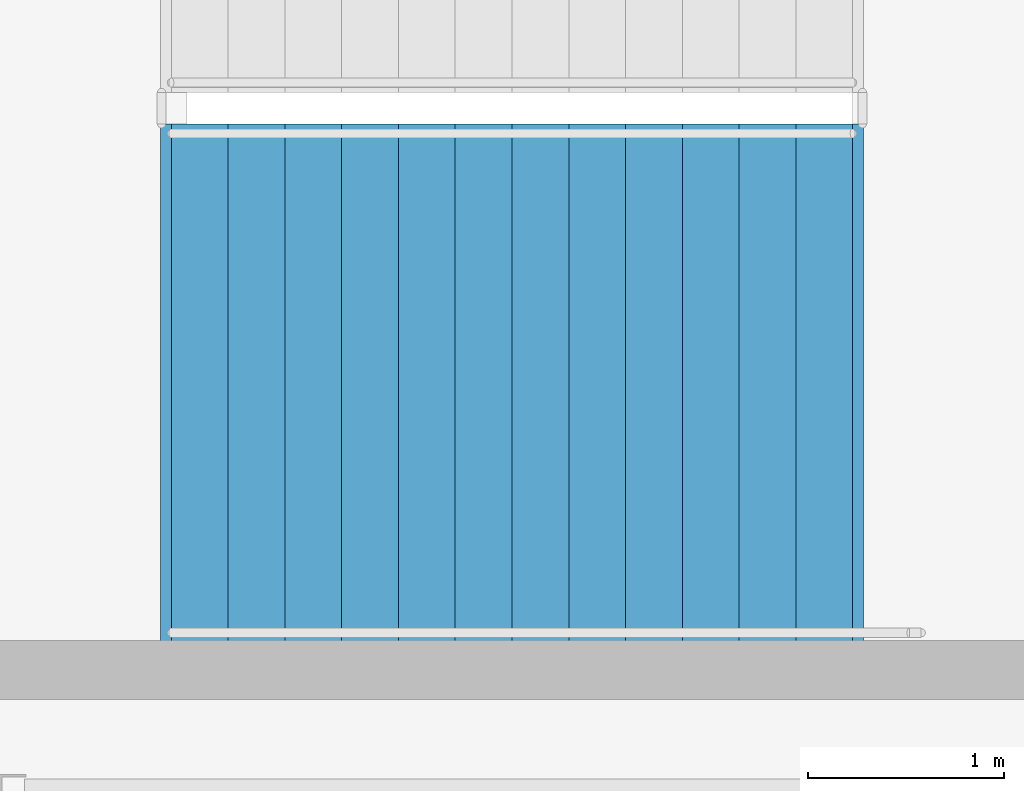
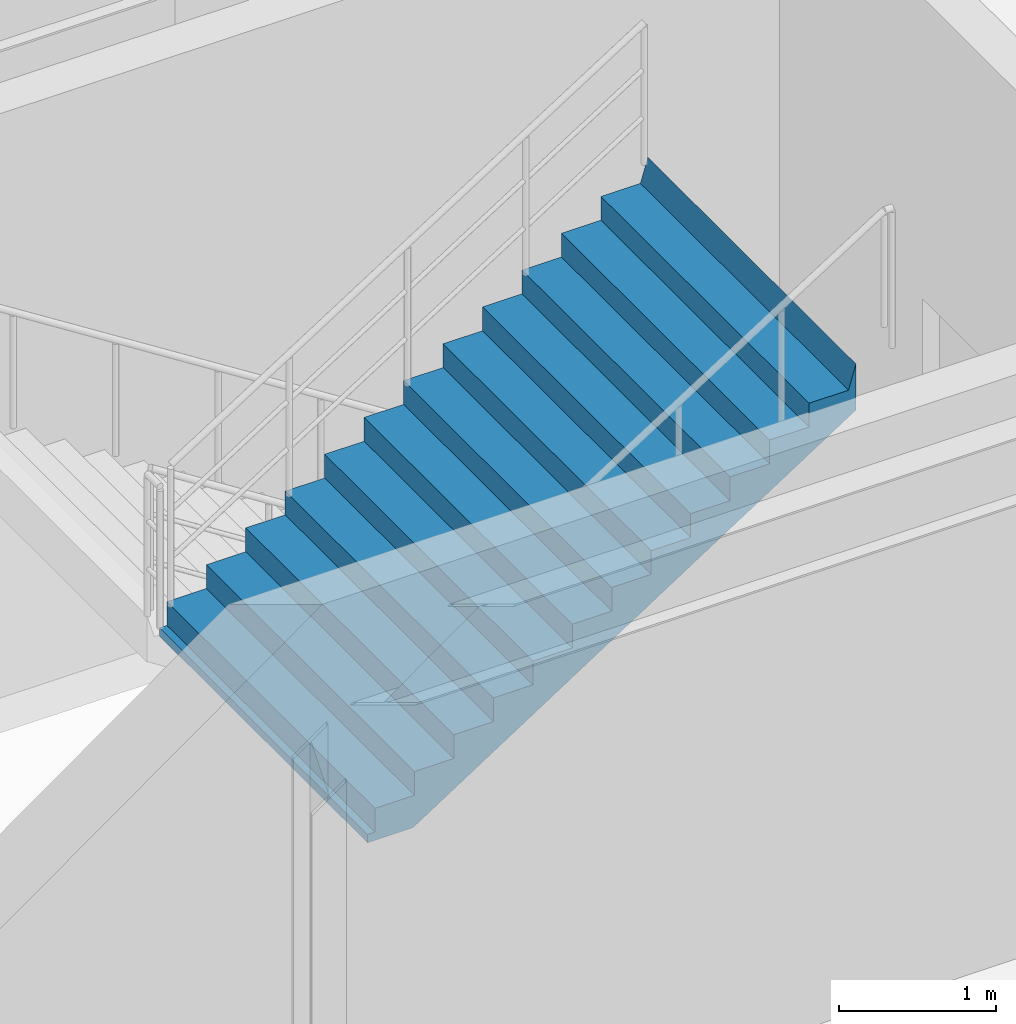
# One storey, part 114 of 144: 1 stair flight, 1 element without a shape of its own.
"""IFC4 building model written with IfcOpenShell, lengths in metres."""

from ifc_helpers import new_model, si_unit, direction, frame, origin, place, context, subcontext, project, spatial, polyline, outline, extrude, material, type_object, element, aggregate, save


model = new_model("IFC4")

# Units and contexts
model_context = context("Model", 3, precision=1e-05, world=origin(), true_north=direction((0.0, 1.0)))
body_context = subcontext(model_context, "Body", "Model", "MODEL_VIEW")
ifc_project = project(units=[si_unit("LENGTHUNIT", "METRE"), si_unit("AREAUNIT", "SQUARE_METRE"), si_unit("VOLUMEUNIT", "CUBIC_METRE"), si_unit("PLANEANGLEUNIT", "RADIAN"), si_unit("MASSUNIT", "GRAM", prefix="KILO")], contexts=[model_context])

# Site, building, storey
site_placement = place(None, origin())
site = spatial("IfcSite", under=ifc_project, at=site_placement, CompositionType="ELEMENT")
building_placement = place(site_placement, origin())
building = spatial("IfcBuilding", under=site, at=building_placement, Name="Cinderbank Siding Concert Hall", CompositionType="ELEMENT")
storey_placement = place(building_placement, frame((0.0, 0.0, 5.39990234375)))
storey = spatial("IfcBuildingStorey", under=building, at=storey_placement, Name="L02", CompositionType="ELEMENT", Elevation=5.39990234375)

# Stair, stair flight
ifc_material = material(Name="Reinforced concrete AS 3600 N50 (50 MPa)", Category="concrete")
stair_type = type_object("IfcStairType", Name="STR-A Dogleg Exit Stair 2650mm", PredefinedType="HALF_TURN_STAIR", material=ifc_material)
stair_placement = place(storey_placement, origin())
stair = element("IfcStair", 1, at=stair_placement, inside=storey, type_object=stair_type, Name="L02 Chamber Pavilion Exit Stair ST-06", PredefinedType="HALF_TURN_STAIR")
stair_flight_type = type_object("IfcStairFlightType", Name="SFL-A Concrete Stair Flight 2650mm", PredefinedType="STRAIGHT", material=ifc_material)
stair_flight_placement = place(storey_placement, frame((13.27001953125, 30.125, 2.400146484375), z_axis=(0.0, 0.0, 1.0), x_axis=(1.0, 0.0, 0.0)))
stair_flight = element("IfcStairFlight", 2, at=stair_flight_placement, type_object=stair_flight_type, Name="ST-06 flight 2", NumberOfRisers=13, NumberOfTreads=12, PredefinedType="STRAIGHT", RiserHeight=0.184615385, TreadLength=0.29, context=body_context, shape_type="SweptSolid", body=[
    extrude(outline(polyline([(0.0, 0.0), (0.0, 0.1845703125), (0.2900390625, 0.1845703125), (0.2900390625, 0.369140625), (0.580078125, 0.369140625), (0.580078125, 0.553955078125), (0.8701171875, 0.553955078125), (0.8701171875, 0.738525390625), (1.159912109375, 0.738525390625), (1.159912109375, 0.923095703125), (1.449951171875, 0.923095703125), (1.449951171875, 1.107666015625), (1.739990234375, 1.107666015625), (1.739990234375, 1.292236328125), (2.030029296875, 1.292236328125), (2.030029296875, 1.476806640625), (2.320068359375, 1.476806640625), (2.320068359375, 1.66162109375), (2.610107421875, 1.66162109375), (2.610107421875, 1.84619140625), (2.89990234375, 1.84619140625), (2.89990234375, 2.03076171875), (3.18994140625, 2.03076171875), (3.18994140625, 2.21533203125), (3.47998046875, 2.21533203125), (3.534912109375, 2.39990234375), (3.534912109375, 2.03759765625), (3.53466796875, 2.037841796875), (3.53466796875, 2.0380859375), (3.53466796875, 2.038330078125), (3.53466796875, 2.03857421875), (3.53466796875, 2.038818359375), (3.53466796875, 2.0390625), (3.53466796875, 2.039306640625), (3.53466796875, 2.03955078125), (3.53466796875, 2.039794921875), (3.53466796875, 2.0400390625), (3.53466796875, 2.040283203125), (3.53466796875, 2.04052734375), (3.534423828125, 2.04052734375), (3.534423828125, 2.040283203125), (3.534423828125, 2.0400390625), (3.534423828125, 2.039794921875), (3.534423828125, 2.03955078125), (3.534423828125, 2.039306640625), (3.534423828125, 2.0390625), (3.534423828125, 2.038818359375), (3.534423828125, 2.03857421875), (3.534423828125, 2.038330078125), (3.534423828125, 2.0380859375), (3.534423828125, 2.037841796875), (3.534423828125, 2.03759765625), (3.5341796875, 2.037841796875), (3.5341796875, 2.0380859375), (3.5341796875, 2.038330078125), (3.5341796875, 2.03857421875), (3.5341796875, 2.038818359375), (3.5341796875, 2.0390625), (3.5341796875, 2.039306640625), (3.5341796875, 2.03955078125), (3.5341796875, 2.039794921875), (3.5341796875, 2.0400390625), (3.5341796875, 2.040283203125), (3.5341796875, 2.04052734375), (3.533935546875, 2.04052734375), (3.533935546875, 2.040283203125), (3.533935546875, 2.0400390625), (3.533935546875, 2.039794921875), (3.533935546875, 2.03955078125), (3.533935546875, 2.039306640625), (3.533935546875, 2.0390625), (3.533935546875, 2.038818359375), (3.533935546875, 2.03857421875), (3.533935546875, 2.038330078125), (3.533935546875, 2.0380859375), (3.533935546875, 2.037841796875), (3.533935546875, 2.03759765625), (3.53369140625, 2.037841796875), (3.53369140625, 2.0380859375), (3.53369140625, 2.038330078125), (3.53369140625, 2.03857421875), (3.53369140625, 2.038818359375), (3.53369140625, 2.0390625), (3.53369140625, 2.039306640625), (3.53369140625, 2.03955078125), (3.53369140625, 2.039794921875), (3.53369140625, 2.0400390625), (3.53369140625, 2.040283203125), (3.53369140625, 2.04052734375), (3.533447265625, 2.04052734375), (3.533447265625, 2.040283203125), (3.533447265625, 2.0400390625), (3.533447265625, 2.039794921875), (3.533447265625, 2.03955078125), (3.533447265625, 2.039306640625), (3.533447265625, 2.0390625), (3.533447265625, 2.038818359375), (3.533447265625, 2.03857421875), (3.533447265625, 2.038330078125), (3.533447265625, 2.0380859375), (3.533447265625, 2.037841796875), (3.533447265625, 2.03759765625), (3.533203125, 2.037841796875), (3.533203125, 2.0380859375), (3.533203125, 2.038330078125), (3.533203125, 2.03857421875), (3.533203125, 2.038818359375), (3.533203125, 2.0390625), (3.533203125, 2.039306640625), (3.533203125, 2.03955078125), (3.533203125, 2.039794921875), (3.533203125, 2.0400390625), (3.533203125, 2.040283203125), (3.533203125, 2.04052734375), (3.532958984375, 2.04052734375), (3.532958984375, 2.040283203125), (3.532958984375, 2.0400390625), (3.532958984375, 2.039794921875), (3.532958984375, 2.03955078125), (3.532958984375, 2.039306640625), (3.532958984375, 2.0390625), (3.532958984375, 2.038818359375), (3.532958984375, 2.03857421875), (3.532958984375, 2.038330078125), (3.532958984375, 2.0380859375), (3.532958984375, 2.037841796875), (3.532958984375, 2.03759765625), (3.53271484375, 2.037841796875), (3.53271484375, 2.0380859375), (3.53271484375, 2.038330078125), (3.53271484375, 2.03857421875), (3.53271484375, 2.038818359375), (3.53271484375, 2.0390625), (3.53271484375, 2.039306640625), (3.53271484375, 2.03955078125), (3.53271484375, 2.039794921875), (3.53271484375, 2.0400390625), (3.53271484375, 2.040283203125), (3.53271484375, 2.04052734375), (3.532470703125, 2.04052734375), (3.532470703125, 2.040283203125), (3.532470703125, 2.0400390625), (3.532470703125, 2.039794921875), (3.532470703125, 2.03955078125), (3.532470703125, 2.039306640625), (3.532470703125, 2.0390625), (3.532470703125, 2.038818359375), (3.532470703125, 2.03857421875), (3.532470703125, 2.038330078125), (3.532470703125, 2.0380859375), (3.532470703125, 2.037841796875), (3.532470703125, 2.03759765625), (3.5322265625, 2.037841796875), (3.5322265625, 2.0380859375), (3.5322265625, 2.038330078125), (3.5322265625, 2.03857421875), (3.5322265625, 2.038818359375), (3.5322265625, 2.0390625), (3.5322265625, 2.039306640625), (3.5322265625, 2.03955078125), (3.5322265625, 2.039794921875), (3.5322265625, 2.0400390625), (3.5322265625, 2.040283203125), (3.5322265625, 2.04052734375), (3.531982421875, 2.04052734375), (3.531982421875, 2.040283203125), (3.531982421875, 2.0400390625), (3.531982421875, 2.039794921875), (3.531982421875, 2.03955078125), (3.531982421875, 2.039306640625), (3.531982421875, 2.0390625), (3.531982421875, 2.038818359375), (3.531982421875, 2.03857421875), (3.531982421875, 2.038330078125), (3.531982421875, 2.0380859375), (3.531982421875, 2.037841796875), (3.531982421875, 2.03759765625), (3.53173828125, 2.037841796875), (3.53173828125, 2.0380859375), (3.53173828125, 2.038330078125), (3.53173828125, 2.03857421875), (3.53173828125, 2.038818359375), (3.53173828125, 2.0390625), (3.53173828125, 2.039306640625), (3.53173828125, 2.03955078125), (3.53173828125, 2.039794921875), (3.53173828125, 2.0400390625), (3.53173828125, 2.040283203125), (3.53173828125, 2.04052734375), (3.531494140625, 2.04052734375), (3.531494140625, 2.040283203125), (3.531494140625, 2.0400390625), (3.531494140625, 2.039794921875), (3.531494140625, 2.03955078125), (3.531494140625, 2.039306640625), (3.531494140625, 2.0390625), (3.531494140625, 2.038818359375), (3.531494140625, 2.03857421875), (3.531494140625, 2.038330078125), (3.531494140625, 2.0380859375), (3.531494140625, 2.037841796875), (3.531494140625, 2.03759765625), (3.53125, 2.037841796875), (3.53125, 2.0380859375), (3.53125, 2.038330078125), (3.53125, 2.03857421875), (3.53125, 2.038818359375), (3.53125, 2.0390625), (3.53125, 2.039306640625), (3.53125, 2.03955078125), (3.53125, 2.039794921875), (3.53125, 2.0400390625), (3.53125, 2.040283203125), (3.53125, 2.04052734375), (3.531005859375, 2.04052734375), (3.531005859375, 2.040283203125), (3.531005859375, 2.0400390625), (3.531005859375, 2.039794921875), (3.531005859375, 2.03955078125), (3.531005859375, 2.039306640625), (3.531005859375, 2.0390625), (3.531005859375, 2.038818359375), (3.531005859375, 2.03857421875), (3.531005859375, 2.038330078125), (3.531005859375, 2.0380859375), (3.531005859375, 2.037841796875), (3.531005859375, 2.03759765625), (3.53076171875, 2.037841796875), (3.53076171875, 2.0380859375), (3.53076171875, 2.038330078125), (3.53076171875, 2.03857421875), (3.53076171875, 2.038818359375), (3.53076171875, 2.0390625), (3.53076171875, 2.039306640625), (3.53076171875, 2.03955078125), (3.53076171875, 2.039794921875), (3.53076171875, 2.0400390625), (3.53076171875, 2.040283203125), (3.53076171875, 2.04052734375), (3.530517578125, 2.04052734375), (3.530517578125, 2.040283203125), (3.530517578125, 2.0400390625), (3.530517578125, 2.039794921875), (3.530517578125, 2.03955078125), (3.530517578125, 2.039306640625), (3.530517578125, 2.0390625), (3.530517578125, 2.038818359375), (3.530517578125, 2.03857421875), (3.530517578125, 2.038330078125), (3.530517578125, 2.0380859375), (3.530517578125, 2.037841796875), (3.530517578125, 2.03759765625), (3.5302734375, 2.037841796875), (3.5302734375, 2.0380859375), (3.5302734375, 2.038330078125), (3.5302734375, 2.03857421875), (3.5302734375, 2.038818359375), (3.5302734375, 2.0390625), (3.5302734375, 2.039306640625), (3.5302734375, 2.03955078125), (3.5302734375, 2.039794921875), (3.5302734375, 2.0400390625), (3.5302734375, 2.040283203125), (3.5302734375, 2.04052734375), (3.530029296875, 2.04052734375), (3.530029296875, 2.040283203125), (3.530029296875, 2.0400390625), (3.530029296875, 2.039794921875), (3.530029296875, 2.03955078125), (3.530029296875, 2.039306640625), (3.530029296875, 2.0390625), (3.530029296875, 2.038818359375), (3.530029296875, 2.03857421875), (3.530029296875, 2.038330078125), (3.530029296875, 2.0380859375), (3.530029296875, 2.037841796875), (3.530029296875, 2.03759765625), (3.52978515625, 2.037841796875), (3.52978515625, 2.0380859375), (3.52978515625, 2.038330078125), (3.52978515625, 2.03857421875), (3.52978515625, 2.038818359375), (3.52978515625, 2.0390625), (3.52978515625, 2.039306640625), (3.52978515625, 2.03955078125), (3.52978515625, 2.039794921875), (3.52978515625, 2.0400390625), (3.52978515625, 2.040283203125), (3.52978515625, 2.04052734375), (3.529541015625, 2.04052734375), (3.529541015625, 2.040283203125), (3.529541015625, 2.0400390625), (3.529541015625, 2.039794921875), (3.529541015625, 2.03955078125), (3.529541015625, 2.039306640625), (3.529541015625, 2.0390625), (3.529541015625, 2.038818359375), (3.529541015625, 2.03857421875), (3.529541015625, 2.038330078125), (3.529541015625, 2.0380859375), (3.529541015625, 2.037841796875), (3.529541015625, 2.03759765625), (3.529296875, 2.037841796875), (3.529296875, 2.0380859375), (3.529296875, 2.038330078125), (3.529296875, 2.03857421875), (3.529296875, 2.038818359375), (3.529296875, 2.0390625), (3.529296875, 2.039306640625), (3.529296875, 2.03955078125), (3.529296875, 2.039794921875), (3.529296875, 2.0400390625), (3.529296875, 2.040283203125), (3.529296875, 2.04052734375), (3.529052734375, 2.04052734375), (3.529052734375, 2.040283203125), (3.529052734375, 2.0400390625), (3.529052734375, 2.039794921875), (3.529052734375, 2.03955078125), (3.529052734375, 2.039306640625), (3.529052734375, 2.0390625), (3.529052734375, 2.038818359375), (3.529052734375, 2.03857421875), (3.529052734375, 2.038330078125), (3.529052734375, 2.0380859375), (3.529052734375, 2.037841796875), (3.529052734375, 2.03759765625), (3.52880859375, 2.037841796875), (3.52880859375, 2.0380859375), (3.52880859375, 2.038330078125), (3.52880859375, 2.03857421875), (3.52880859375, 2.038818359375), (3.52880859375, 2.0390625), (3.52880859375, 2.039306640625), (3.52880859375, 2.03955078125), (3.52880859375, 2.039794921875), (3.52880859375, 2.0400390625), (3.52880859375, 2.040283203125), (3.52880859375, 2.04052734375), (3.528564453125, 2.04052734375), (3.528564453125, 2.040283203125), (3.528564453125, 2.0400390625), (3.528564453125, 2.039794921875), (3.528564453125, 2.03955078125), (3.528564453125, 2.039306640625), (3.528564453125, 2.0390625), (3.528564453125, 2.038818359375), (3.528564453125, 2.03857421875), (3.528564453125, 2.038330078125), (3.528564453125, 2.0380859375), (3.528564453125, 2.037841796875), (3.528564453125, 2.03759765625), (0.279052734375, -0.06396484375), (-0.048583984375, -0.063720703125), (-0.048583984375, -0.0634765625), (-0.048583984375, -0.063232421875), (-0.048583984375, -0.06298828125), (-0.048583984375, -0.062744140625), (-0.048583984375, -0.0625), (-0.048583984375, -0.062255859375), (-0.048583984375, -0.06201171875), (-0.048583984375, -0.061767578125), (-0.048583984375, -0.0615234375), (-0.048583984375, -0.061279296875), (-0.048583984375, -0.06103515625), (-0.048828125, -0.06103515625), (-0.048828125, -0.061279296875), (-0.048828125, -0.0615234375), (-0.048828125, -0.061767578125), (-0.048828125, -0.06201171875), (-0.048828125, -0.062255859375), (-0.048828125, -0.0625), (-0.048828125, -0.062744140625), (-0.048828125, -0.06298828125), (-0.048828125, -0.063232421875), (-0.048828125, -0.0634765625), (-0.048828125, -0.063720703125), (-0.048828125, -0.06396484375), (-0.049072265625, -0.063720703125), (-0.049072265625, -0.0634765625), (-0.049072265625, -0.063232421875), (-0.049072265625, -0.06298828125), (-0.049072265625, -0.062744140625), (-0.049072265625, -0.0625), (-0.049072265625, -0.062255859375), (-0.049072265625, -0.06201171875), (-0.049072265625, -0.061767578125), (-0.049072265625, -0.0615234375), (-0.049072265625, -0.061279296875), (-0.049072265625, -0.06103515625), (-0.04931640625, -0.06103515625), (-0.04931640625, -0.061279296875), (-0.04931640625, -0.0615234375), (-0.04931640625, -0.061767578125), (-0.04931640625, -0.06201171875), (-0.04931640625, -0.062255859375), (-0.04931640625, -0.0625), (-0.04931640625, -0.062744140625), (-0.04931640625, -0.06298828125), (-0.04931640625, -0.063232421875), (-0.04931640625, -0.0634765625), (-0.04931640625, -0.063720703125), (-0.04931640625, -0.06396484375), (-0.049560546875, -0.063720703125), (-0.049560546875, -0.0634765625), (-0.049560546875, -0.063232421875), (-0.049560546875, -0.06298828125), (-0.049560546875, -0.062744140625), (-0.049560546875, -0.0625), (-0.049560546875, -0.062255859375), (-0.049560546875, -0.06201171875), (-0.049560546875, -0.061767578125), (-0.049560546875, -0.0615234375), (-0.049560546875, -0.061279296875), (-0.049560546875, -0.06103515625), (-0.0498046875, -0.06103515625), (-0.0498046875, -0.061279296875), (-0.0498046875, -0.0615234375), (-0.0498046875, -0.061767578125), (-0.0498046875, -0.06201171875), (-0.0498046875, -0.062255859375), (-0.0498046875, -0.0625), (-0.0498046875, -0.062744140625), (-0.0498046875, -0.06298828125), (-0.0498046875, -0.063232421875), (-0.0498046875, -0.0634765625), (-0.0498046875, -0.063720703125), (-0.0498046875, -0.06396484375), (-0.050048828125, -0.063720703125), (-0.050048828125, -0.0634765625), (-0.050048828125, -0.063232421875), (-0.050048828125, -0.06298828125), (-0.050048828125, -0.062744140625), (-0.050048828125, -0.0625), (-0.050048828125, -0.062255859375), (-0.050048828125, -0.06201171875), (-0.050048828125, -0.061767578125), (-0.050048828125, -0.0615234375), (-0.050048828125, -0.061279296875), (-0.050048828125, -0.06103515625), (-0.05029296875, -0.06103515625), (-0.05029296875, -0.061279296875), (-0.05029296875, -0.0615234375), (-0.05029296875, -0.061767578125), (-0.05029296875, -0.06201171875), (-0.05029296875, -0.062255859375), (-0.05029296875, -0.0625), (-0.05029296875, -0.062744140625), (-0.05029296875, -0.06298828125), (-0.05029296875, -0.063232421875), (-0.05029296875, -0.0634765625), (-0.05029296875, -0.063720703125), (-0.05029296875, -0.06396484375), (-0.050537109375, -0.063720703125), (-0.050537109375, -0.0634765625), (-0.050537109375, -0.063232421875), (-0.050537109375, -0.06298828125), (-0.050537109375, -0.062744140625), (-0.050537109375, -0.0625), (-0.050537109375, -0.062255859375), (-0.050537109375, -0.06201171875), (-0.050537109375, -0.061767578125), (-0.050537109375, -0.0615234375), (-0.050537109375, -0.061279296875), (-0.050537109375, -0.06103515625), (-0.05078125, -0.06103515625), (-0.05078125, -0.061279296875), (-0.05078125, -0.0615234375), (-0.05078125, -0.061767578125), (-0.05078125, -0.06201171875), (-0.05078125, -0.062255859375), (-0.05078125, -0.0625), (-0.05078125, -0.062744140625), (-0.05078125, -0.06298828125), (-0.05078125, -0.063232421875), (-0.05078125, -0.0634765625), (-0.05078125, -0.063720703125), (-0.05078125, -0.06396484375), (-0.051025390625, -0.063720703125), (-0.051025390625, -0.0634765625), (-0.051025390625, -0.063232421875), (-0.051025390625, -0.06298828125), (-0.051025390625, -0.062744140625), (-0.051025390625, -0.0625), (-0.051025390625, -0.062255859375), (-0.051025390625, -0.06201171875), (-0.051025390625, -0.061767578125), (-0.051025390625, -0.0615234375), (-0.051025390625, -0.061279296875), (-0.051025390625, -0.06103515625), (-0.05126953125, -0.06103515625), (-0.05126953125, -0.061279296875), (-0.05126953125, -0.0615234375), (-0.05126953125, -0.061767578125), (-0.05126953125, -0.06201171875), (-0.05126953125, -0.062255859375), (-0.05126953125, -0.0625), (-0.05126953125, -0.062744140625), (-0.05126953125, -0.06298828125), (-0.05126953125, -0.063232421875), (-0.05126953125, -0.0634765625), (-0.05126953125, -0.063720703125), (-0.05126953125, -0.06396484375), (-0.051513671875, -0.063720703125), (-0.051513671875, -0.0634765625), (-0.051513671875, -0.063232421875), (-0.051513671875, -0.06298828125), (-0.051513671875, -0.062744140625), (-0.051513671875, -0.0625), (-0.051513671875, -0.062255859375), (-0.051513671875, -0.06201171875), (-0.051513671875, -0.061767578125), (-0.051513671875, -0.0615234375), (-0.051513671875, -0.061279296875), (-0.051513671875, -0.06103515625), (-0.0517578125, -0.06103515625), (-0.0517578125, -0.061279296875), (-0.0517578125, -0.0615234375), (-0.0517578125, -0.061767578125), (-0.0517578125, -0.06201171875), (-0.0517578125, -0.062255859375), (-0.0517578125, -0.0625), (-0.0517578125, -0.062744140625), (-0.0517578125, -0.06298828125), (-0.0517578125, -0.063232421875), (-0.0517578125, -0.0634765625), (-0.0517578125, -0.063720703125), (-0.0517578125, -0.06396484375), (-0.052001953125, -0.063720703125), (-0.052001953125, -0.0634765625), (-0.052001953125, -0.063232421875), (-0.052001953125, -0.06298828125), (-0.052001953125, -0.062744140625), (-0.052001953125, -0.0625), (-0.052001953125, -0.062255859375), (-0.052001953125, -0.06201171875), (-0.052001953125, -0.061767578125), (-0.052001953125, -0.0615234375), (-0.052001953125, -0.061279296875), (-0.052001953125, -0.06103515625), (-0.05224609375, -0.06103515625), (-0.05224609375, -0.061279296875), (-0.05224609375, -0.0615234375), (-0.05224609375, -0.061767578125), (-0.05224609375, -0.06201171875), (-0.05224609375, -0.062255859375), (-0.05224609375, -0.0625), (-0.05224609375, -0.062744140625), (-0.05224609375, -0.06298828125), (-0.05224609375, -0.063232421875), (-0.05224609375, -0.0634765625), (-0.05224609375, -0.063720703125), (-0.05224609375, -0.06396484375), (-0.052490234375, -0.063720703125), (-0.052490234375, -0.0634765625), (-0.052490234375, -0.063232421875), (-0.052490234375, -0.06298828125), (-0.052490234375, -0.062744140625), (-0.052490234375, -0.0625), (-0.052490234375, -0.062255859375), (-0.052490234375, -0.06201171875), (-0.052490234375, -0.061767578125), (-0.052490234375, -0.0615234375), (-0.052490234375, -0.061279296875), (-0.052490234375, -0.06103515625), (-0.052734375, -0.06103515625), (-0.052734375, -0.061279296875), (-0.052734375, -0.0615234375), (-0.052734375, -0.061767578125), (-0.052734375, -0.06201171875), (-0.052734375, -0.062255859375), (-0.052734375, -0.0625), (-0.052734375, -0.062744140625), (-0.052734375, -0.06298828125), (-0.052734375, -0.063232421875), (-0.052734375, -0.0634765625), (-0.052734375, -0.063720703125), (-0.052734375, -0.06396484375), (-0.052978515625, -0.063720703125), (-0.052978515625, -0.0634765625), (-0.052978515625, -0.063232421875), (-0.052978515625, -0.06298828125), (-0.052978515625, -0.062744140625), (-0.052978515625, -0.0625), (-0.052978515625, -0.062255859375), (-0.052978515625, -0.06201171875), (-0.052978515625, -0.061767578125), (-0.052978515625, -0.0615234375), (-0.052978515625, -0.061279296875), (-0.052978515625, -0.06103515625), (-0.05322265625, -0.06103515625), (-0.05322265625, -0.061279296875), (-0.05322265625, -0.0615234375), (-0.05322265625, -0.061767578125), (-0.05322265625, -0.06201171875), (-0.05322265625, -0.062255859375), (-0.05322265625, -0.0625), (-0.05322265625, -0.062744140625), (-0.05322265625, -0.06298828125), (-0.05322265625, -0.063232421875), (-0.05322265625, -0.0634765625), (-0.05322265625, -0.063720703125), (-0.05322265625, -0.06396484375), (-0.053466796875, -0.063720703125), (-0.053466796875, -0.0634765625), (-0.053466796875, -0.063232421875), (-0.053466796875, -0.06298828125), (-0.053466796875, -0.062744140625), (-0.053466796875, -0.0625), (-0.053466796875, -0.062255859375), (-0.053466796875, -0.06201171875), (-0.053466796875, -0.061767578125), (-0.053466796875, -0.0615234375), (-0.053466796875, -0.061279296875), (-0.053466796875, -0.06103515625), (-0.0537109375, -0.06103515625), (-0.0537109375, -0.061279296875), (-0.0537109375, -0.0615234375), (-0.0537109375, -0.061767578125), (-0.0537109375, -0.06201171875), (-0.0537109375, -0.062255859375), (-0.0537109375, -0.0625), (-0.0537109375, -0.062744140625), (-0.0537109375, -0.06298828125), (-0.0537109375, -0.063232421875), (-0.0537109375, -0.0634765625), (-0.0537109375, -0.063720703125), (-0.0537109375, -0.06396484375), (-0.053955078125, -0.063720703125), (-0.053955078125, -0.0634765625), (-0.053955078125, -0.063232421875), (-0.053955078125, -0.06298828125), (-0.053955078125, -0.062744140625), (-0.053955078125, -0.0625), (-0.053955078125, -0.062255859375), (-0.053955078125, -0.06201171875), (-0.053955078125, -0.061767578125), (-0.053955078125, -0.0615234375), (-0.053955078125, -0.061279296875), (-0.053955078125, -0.06103515625), (-0.05419921875, -0.06103515625), (-0.05419921875, -0.061279296875), (-0.05419921875, -0.0615234375), (-0.05419921875, -0.061767578125), (-0.05419921875, -0.06201171875), (-0.05419921875, -0.062255859375), (-0.05419921875, -0.0625), (-0.05419921875, -0.062744140625), (-0.05419921875, -0.06298828125), (-0.05419921875, -0.063232421875), (-0.05419921875, -0.0634765625), (-0.05419921875, -0.063720703125), (-0.05419921875, -0.06396484375), (-0.054443359375, -0.063720703125), (-0.054443359375, -0.0634765625), (-0.054443359375, -0.063232421875), (-0.054443359375, -0.06298828125), (-0.054443359375, -0.062744140625), (-0.054443359375, -0.0625), (-0.054443359375, -0.062255859375), (-0.054443359375, -0.06201171875), (-0.054443359375, -0.061767578125), (-0.054443359375, -0.0615234375), (-0.054443359375, -0.061279296875), (-0.054443359375, -0.06103515625), (-0.0546875, -0.06103515625), (-0.0546875, -0.061279296875), (-0.0546875, -0.0615234375), (-0.0546875, -0.061767578125), (-0.0546875, -0.06201171875), (-0.0546875, -0.062255859375), (-0.0546875, -0.0625), (-0.0546875, -0.062744140625), (-0.0546875, -0.06298828125), (-0.0546875, -0.063232421875), (-0.0546875, -0.0634765625), (-0.0546875, -0.063720703125), (-0.0546875, -0.06396484375), (-0.054931640625, -0.06396484375), (-0.054931640625, 0.0), (0.0, 0.0)])), frame((0.0, 1.324951171875, 0.0), z_axis=(0.0, -1.0, 0.0), x_axis=(1.0, 0.0, 0.0)), (0.0, 0.0, 1.0), 2.64990234375),
])
aggregate(stair, [stair_flight])

save(model, "model.ifc")
